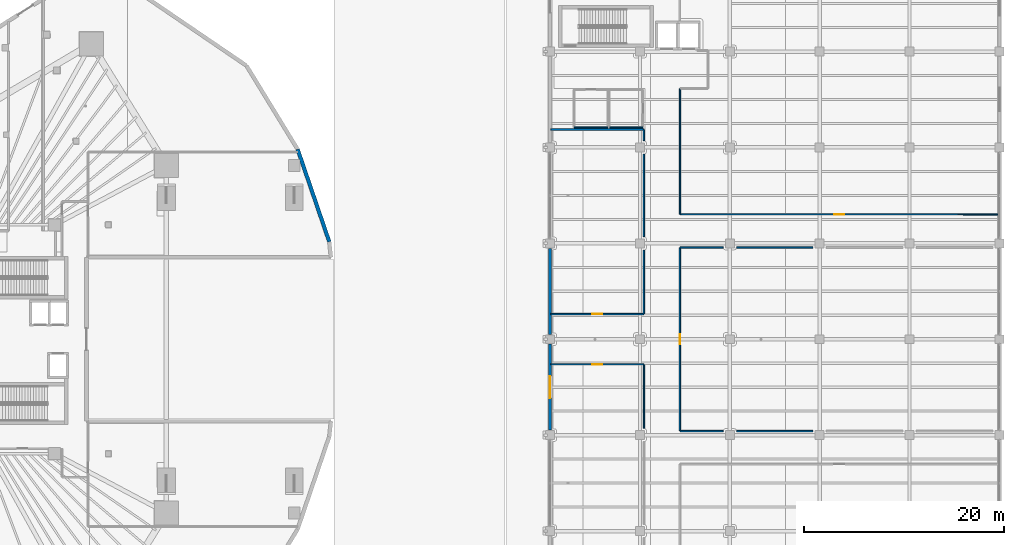
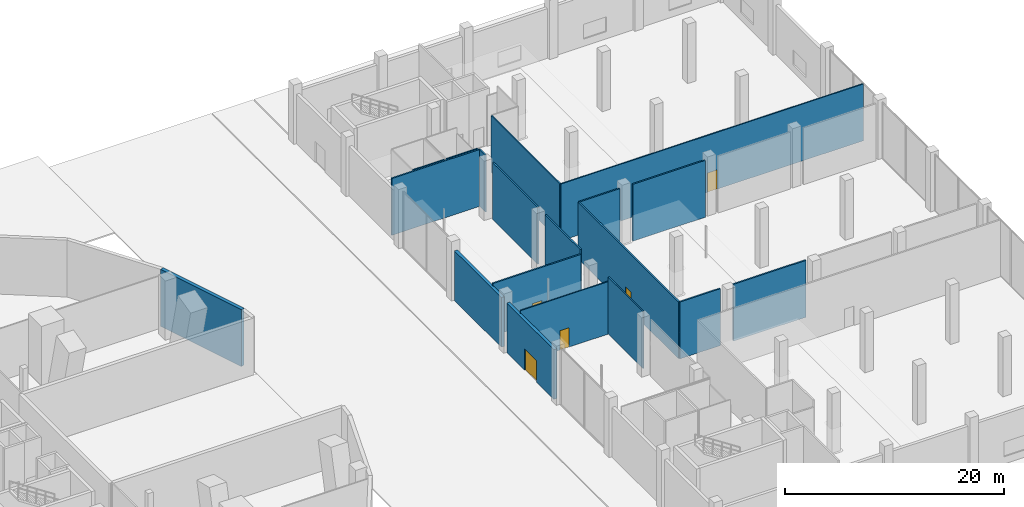
# One storey, part 31 of 45: 19 walls, 5 doors, 5 openings.
"""IFC4 building model written with IfcOpenShell, lengths in metres."""

from ifc_helpers import new_model, si_unit, direction, frame, frame_2d, origin, place, context, subcontext, project, spatial, rectangle, extrude, material, layer, layer_set, type_object, element, fill, save


model = new_model("IFC4")

# Units and contexts
model_context = context("Model", 3, precision=1e-05, world=origin(), true_north=direction((0.0, 1.0)))
body_context = subcontext(model_context, "Body", "Model", "MODEL_VIEW")
ifc_project = project(units=[si_unit("LENGTHUNIT", "METRE"), si_unit("AREAUNIT", "SQUARE_METRE"), si_unit("VOLUMEUNIT", "CUBIC_METRE"), si_unit("PLANEANGLEUNIT", "RADIAN"), si_unit("MASSUNIT", "GRAM", prefix="KILO")], contexts=[model_context])

# Site, building, storey
site_placement = place(None, origin())
site = spatial("IfcSite", under=ifc_project, at=site_placement, CompositionType="ELEMENT")
building_placement = place(site_placement, origin())
building = spatial("IfcBuilding", under=site, at=building_placement, Name="Qorvath Tower", CompositionType="ELEMENT")
storey_placement = place(building_placement, origin())
storey = spatial("IfcBuildingStorey", under=building, at=storey_placement, Name="L00", CompositionType="ELEMENT", Elevation=0.0)

# Wall, opening, door
ifc_material_1 = material(Name="Double acoustic gypsum board on steel studs", Category="steel")
ifc_layer_1 = layer(ifc_material_1, 0.159912109375)
ifc_layer_set_1 = layer_set([ifc_layer_1], Name="IW-ACOUSTIC-160")
wall_type_1 = type_object("IfcWallType", Name="IW-ACOUSTIC-160", PredefinedType="PARTITIONING", material=ifc_layer_set_1)
wall_1_placement = place(storey_placement, frame((32.47998046875, 2.508056640625, 0.0), z_axis=(0.0, 0.0, 1.0), x_axis=(1.0, 0.0, 0.0)))
wall_1 = element("IfcWall", 1, at=wall_1_placement, inside=storey, type_object=wall_type_1, Name="Interior Partition IW-LB-L00-017", PredefinedType="PARTITIONING", context=body_context, shape_type="SweptSolid", body=[
    extrude(rectangle(XDim=9.294921875, YDim=0.159912109375, at=frame_2d((4.6474609375, 0.0))), origin(), (0.0, 0.0, 1.0), 5.85302734375),
])
opening_1_placement = place(wall_1_placement, frame((4.1474609375, 0.0, 0.0)))
opening_1 = element("IfcOpeningElement", 2, at=opening_1_placement, cuts=wall_1, Name="Opening D-LB-L00-05", PredefinedType="OPENING", context=body_context, shape_type="SweptSolid", body=[
    extrude(rectangle(XDim=1.0, YDim=2.14990234375, at=frame_2d((0.5, 1.074951171875))), frame((0.0, 0.08984375, 0.0), z_axis=(0.0, -1.0, 0.0), x_axis=(1.0, 0.0, 0.0)), (0.0, 0.0, 1.0), 0.179931640625),
])
ifc_material_2 = material(Name="Painted galvanised hollow metal", Category="steel")
door_type_1 = type_object("IfcDoorType", Name="FD-60", OperationType="NOTDEFINED", PredefinedType="DOOR", material=ifc_material_2)
door_1_placement = place(opening_1_placement, origin())
door_1 = element("IfcDoor", 3, at=door_1_placement, inside=storey, type_object=door_type_1, Name="L-L00-FOY Civic Lending Desk and Reading Lounge Door D-LB-L00-05", OperationType="SINGLE_SWING_LEFT", OverallHeight=2.14990234375, OverallWidth=1.0, PredefinedType="DOOR", context=body_context, shape_type="SweptSolid", body=[
    extrude(rectangle(XDim=1.0, YDim=2.14990234375, at=frame_2d((0.5, 1.074951171875))), frame((0.0, 0.02490234375, 0.0), z_axis=(0.0, -1.0, 0.0), x_axis=(1.0, 0.0, 0.0)), (0.0, 0.0, 1.0), 0.050048828125),
])
fill(opening_1, door_1)

# Walls
wall_2_placement = place(storey_placement, frame((41.800048828125, 2.533203125, 0.0), z_axis=(0.0, 0.0, 1.0), x_axis=(0.0, 1.0, 0.0)))
element("IfcWall", 4, at=wall_2_placement, inside=storey, type_object=wall_type_1, Name="Interior Partition IW-LB-L00-018", PredefinedType="PARTITIONING", context=body_context, shape_type="SweptSolid", body=[
    extrude(rectangle(XDim=6.391845703125, YDim=0.159912109375, at=frame_2d((3.19580078125, 0.0))), origin(), (0.0, 0.0, 1.0), 6.340087890625),
])
wall_3_placement = place(storey_placement, frame((41.800048828125, 10.27490234375, 0.0), z_axis=(0.0, 0.0, 1.0), x_axis=(0.0, 1.0, 0.0)))
element("IfcWall", 5, at=wall_3_placement, inside=storey, type_object=wall_type_1, Name="Interior Partition IW-LB-L00-019", PredefinedType="PARTITIONING", context=body_context, shape_type="SweptSolid", body=[
    extrude(rectangle(XDim=8.25, YDim=0.159912109375, at=frame_2d((4.125, 0.0))), origin(), (0.0, 0.0, 1.0), 6.340087890625),
])
wall_4_placement = place(storey_placement, frame((41.800048828125, 19.875, 0.0), z_axis=(0.0, 0.0, 1.0), x_axis=(0.0, 1.0, 0.0)))
element("IfcWall", 6, at=wall_4_placement, inside=storey, type_object=wall_type_1, Name="Interior Partition IW-LB-L00-020", PredefinedType="PARTITIONING", context=body_context, shape_type="SweptSolid", body=[
    extrude(rectangle(XDim=1.10009765625, YDim=0.159912109375, at=frame_2d((0.550048828125, 0.0))), origin(), (0.0, 0.0, 1.0), 6.340087890625),
])
wall_5_placement = place(storey_placement, frame((41.77490234375, 21.0, 0.0), z_axis=(0.0, 0.0, 1.0), x_axis=(-1.0, 0.0, 0.0)))
element("IfcWall", 7, at=wall_5_placement, inside=storey, type_object=wall_type_1, Name="Interior Partition IW-LB-L00-021", PredefinedType="PARTITIONING", context=body_context, shape_type="SweptSolid", body=[
    extrude(rectangle(XDim=9.294921875, YDim=0.159912109375, at=frame_2d((4.6474609375, 0.0))), origin(), (0.0, 0.0, 1.0), 6.340087890625),
])
wall_6_placement = place(storey_placement, frame((58.72509765625, 9.19189453125, 0.0), z_axis=(0.0, 0.0, 1.0), x_axis=(-1.0, 0.0, 0.0)))
element("IfcWall", 8, at=wall_6_placement, inside=storey, type_object=wall_type_1, Name="Interior Partition IW-LB-L00-037", PredefinedType="PARTITIONING", context=body_context, shape_type="SweptSolid", body=[
    extrude(rectangle(XDim=7.650146484375, YDim=0.159912109375, at=frame_2d((3.8251953125, 0.0))), origin(), (0.0, 0.0, 1.0), 6.340087890625),
])
wall_7_placement = place(storey_placement, frame((49.72509765625, 9.19189453125, 0.0), z_axis=(0.0, 0.0, 1.0), x_axis=(-1.0, 0.0, 0.0)))
element("IfcWall", 9, at=wall_7_placement, inside=storey, type_object=wall_type_1, Name="Interior Partition IW-LB-L00-038", PredefinedType="PARTITIONING", context=body_context, shape_type="SweptSolid", body=[
    extrude(rectangle(XDim=4.2919921875, YDim=0.159912109375, at=frame_2d((2.14599609375, 0.0))), origin(), (0.0, 0.0, 1.0), 6.340087890625),
])

# Wall, opening, door
wall_8_placement = place(storey_placement, frame((45.407958984375, 9.1669921875, 0.0), z_axis=(0.0, 0.0, 1.0), x_axis=(0.0, -1.0, 0.0)))
wall_8 = element("IfcWall", 10, at=wall_8_placement, inside=storey, type_object=wall_type_1, Name="Interior Partition IW-LB-L00-039", PredefinedType="PARTITIONING", context=body_context, shape_type="SweptSolid", body=[
    extrude(rectangle(XDim=18.333984375, YDim=0.159912109375, at=frame_2d((9.1669921875, 0.0))), origin(), (0.0, 0.0, 1.0), 6.340087890625),
])
opening_2_placement = place(wall_8_placement, frame((8.6669921875, 0.0, 0.0)))
opening_2 = element("IfcOpeningElement", 11, at=opening_2_placement, cuts=wall_8, Name="Opening D-LB-L00-08", PredefinedType="OPENING", context=body_context, shape_type="SweptSolid", body=[
    extrude(rectangle(XDim=1.0, YDim=2.14990234375, at=frame_2d((0.5, 1.074951171875))), frame((0.0, 0.08984375, 0.0), z_axis=(0.0, -1.0, 0.0), x_axis=(1.0, 0.0, 0.0)), (0.0, 0.0, 1.0), 0.179931640625),
])
door_2_placement = place(opening_2_placement, origin())
door_2 = element("IfcDoor", 12, at=door_2_placement, inside=storey, type_object=door_type_1, Name="L-L00-PER Periodicals Reading Lounge Door D-LB-L00-08", OperationType="SINGLE_SWING_RIGHT", OverallHeight=2.14990234375, OverallWidth=1.0, PredefinedType="DOOR", context=body_context, shape_type="SweptSolid", body=[
    extrude(rectangle(XDim=1.0, YDim=2.14990234375, at=frame_2d((0.5, 1.074951171875))), frame((0.0, 0.02490234375, 0.0), z_axis=(0.0, -1.0, 0.0), x_axis=(1.0, 0.0, 0.0)), (0.0, 0.0, 1.0), 0.050048828125),
])
fill(opening_2, door_2)

# Walls
wall_9_placement = place(storey_placement, frame((45.43310546875, -9.19189453125, 0.0), z_axis=(0.0, 0.0, 1.0), x_axis=(1.0, 0.0, 0.0)))
element("IfcWall", 13, at=wall_9_placement, inside=storey, type_object=wall_type_1, Name="Interior Partition IW-LB-L00-040", PredefinedType="PARTITIONING", context=body_context, shape_type="SweptSolid", body=[
    extrude(rectangle(XDim=4.2919921875, YDim=0.159912109375, at=frame_2d((2.14599609375, 0.0))), origin(), (0.0, 0.0, 1.0), 6.340087890625),
])
wall_10_placement = place(storey_placement, frame((51.074951171875, -9.19189453125, 0.0), z_axis=(0.0, 0.0, 1.0), x_axis=(1.0, 0.0, 0.0)))
element("IfcWall", 14, at=wall_10_placement, inside=storey, type_object=wall_type_1, Name="Interior Partition IW-LB-L00-041", PredefinedType="PARTITIONING", context=body_context, shape_type="SweptSolid", body=[
    extrude(rectangle(XDim=7.650146484375, YDim=0.159912109375, at=frame_2d((3.8251953125, 0.0))), origin(), (0.0, 0.0, 1.0), 6.340087890625),
])
ifc_material_3 = material(Name="Gypsum board on metal studs with mineral wool", Category="gypsum")
ifc_layer_2 = layer(ifc_material_3, 0.125)
ifc_layer_set_2 = layer_set([ifc_layer_2], Name="IW-PART-125")
wall_type_2 = type_object("IfcWallType", Name="IW-PART-125", PredefinedType="PARTITIONING", material=ifc_layer_set_2)
wall_11_placement = place(storey_placement, frame((45.407958984375, 25.087158203125, 0.0), z_axis=(0.0, 0.0, 1.0), x_axis=(0.0, -1.0, 0.0)))
element("IfcWall", 15, at=wall_11_placement, inside=storey, type_object=wall_type_2, Name="Interior Partition IW-LB-L00-025", PredefinedType="PARTITIONING", context=body_context, shape_type="SweptSolid", body=[
    extrude(rectangle(XDim=12.553955078125, YDim=0.125, at=frame_2d((6.27685546875, 0.0))), origin(), (0.0, 0.0, 1.0), 6.340087890625),
])

# Wall, opening, door
wall_12_placement = place(storey_placement, frame((45.43310546875, 12.508056640625, 0.0), z_axis=(0.0, 0.0, 1.0), x_axis=(0.999999968081, -0.000252662519, 0.0)))
wall_12 = element("IfcWall", 16, at=wall_12_placement, inside=storey, type_object=wall_type_2, Name="Interior Partition IW-LB-L00-026", PredefinedType="PARTITIONING", context=body_context, shape_type="SweptSolid", body=[
    extrude(rectangle(XDim=31.886962890625, YDim=0.125, at=frame_2d((15.943359375, 0.0))), origin(), (0.0, 0.0, 1.0), 6.340087890625),
])
opening_3_placement = place(wall_12_placement, frame((15.443603515625, 0.0, 0.0)))
opening_3 = element("IfcOpeningElement", 17, at=opening_3_placement, cuts=wall_12, Name="Opening D-LB-L00-06", PredefinedType="OPENING", context=body_context, shape_type="SweptSolid", body=[
    extrude(rectangle(XDim=1.0, YDim=2.14990234375, at=frame_2d((0.5, 1.074951171875))), frame((0.0, 0.072509765625, 0.0), z_axis=(0.0, -1.0, 0.0), x_axis=(1.0, 0.0, 0.0)), (0.0, 0.0, 1.0), 0.14501953125),
])
door_3_placement = place(opening_3_placement, origin())
door_3 = element("IfcDoor", 18, at=door_3_placement, inside=storey, type_object=door_type_1, Name="L-L00-CHD Children and Youth Discovery Library Door D-LB-L00-06", OperationType="SINGLE_SWING_RIGHT", OverallHeight=2.14990234375, OverallWidth=1.0, PredefinedType="DOOR", context=body_context, shape_type="SweptSolid", body=[
    extrude(rectangle(XDim=1.0, YDim=2.14990234375, at=frame_2d((0.5, 1.074951171875))), frame((0.0, 0.02490234375, 0.0), z_axis=(0.0, -1.0, 0.0), x_axis=(1.0, 0.0, 0.0)), (0.0, 0.0, 1.0), 0.050048828125),
])
fill(opening_3, door_3)

# Wall
wall_13_placement = place(storey_placement, frame((41.800048828125, -8.925048828125, 0.0), z_axis=(0.0, 0.0, 1.0), x_axis=(0.0, 1.0, 0.0)))
element("IfcWall", 19, at=wall_13_placement, inside=storey, type_object=wall_type_2, Name="Interior Partition IW-LB-L00-046", PredefinedType="PARTITIONING", context=body_context, shape_type="SweptSolid", body=[
    extrude(rectangle(XDim=6.391845703125, YDim=0.125, at=frame_2d((3.19580078125, 0.0))), origin(), (0.0, 0.0, 1.0), 6.340087890625),
])

# Wall, opening, door
wall_14_placement = place(storey_placement, frame((41.77490234375, -2.508056640625, 0.0), z_axis=(0.0, 0.0, 1.0), x_axis=(-1.0, 0.0, 0.0)))
wall_14 = element("IfcWall", 20, at=wall_14_placement, inside=storey, type_object=wall_type_2, Name="Interior Partition IW-LB-L00-047", PredefinedType="PARTITIONING", context=body_context, shape_type="SweptSolid", body=[
    extrude(rectangle(XDim=9.294921875, YDim=0.125, at=frame_2d((4.6474609375, 0.0))), origin(), (0.0, 0.0, 1.0), 5.85302734375),
])
opening_4_placement = place(wall_14_placement, frame((4.1474609375, 0.0, 0.0)))
opening_4 = element("IfcOpeningElement", 21, at=opening_4_placement, cuts=wall_14, Name="Opening D-LB-L00-09", PredefinedType="OPENING", context=body_context, shape_type="SweptSolid", body=[
    extrude(rectangle(XDim=1.0, YDim=2.14990234375, at=frame_2d((0.5, 1.074951171875))), frame((0.0, 0.072509765625, 0.0), z_axis=(0.0, -1.0, 0.0), x_axis=(1.0, 0.0, 0.0)), (0.0, 0.0, 1.0), 0.14501953125),
])
door_4_placement = place(opening_4_placement, origin())
door_4 = element("IfcDoor", 22, at=door_4_placement, inside=storey, type_object=door_type_1, Name="L-L00-SRT Automated Book Sorting Workroom Door D-LB-L00-09", OperationType="SINGLE_SWING_LEFT", OverallHeight=2.14990234375, OverallWidth=1.0, PredefinedType="DOOR", context=body_context, shape_type="SweptSolid", body=[
    extrude(rectangle(XDim=1.0, YDim=2.14990234375, at=frame_2d((0.5, 1.074951171875))), frame((0.0, 0.02490234375, 0.0), z_axis=(0.0, -1.0, 0.0), x_axis=(1.0, 0.0, 0.0)), (0.0, 0.0, 1.0), 0.050048828125),
])
fill(opening_4, door_4)

# Walls
ifc_material_4 = material(Name="Moisture-resistant cement board on metal studs", Category="gypsum")
ifc_layer_3 = layer(ifc_material_4, 0.110107421875)
ifc_layer_set_3 = layer_set([ifc_layer_3], Name="IW-WC-110")
wall_type_3 = type_object("IfcWallType", Name="IW-WC-110", PredefinedType="PARTITIONING", material=ifc_layer_set_3)
wall_15_placement = place(storey_placement, frame((34.824951171875, 21.199951171875, 0.0), z_axis=(0.0, 0.0, 1.0), x_axis=(1.0, 0.0, 0.0)))
element("IfcWall", 23, at=wall_15_placement, inside=storey, type_object=wall_type_3, Name="Interior Partition IW-LB-L00-001", PredefinedType="PARTITIONING", context=body_context, shape_type="SweptSolid", body=[
    extrude(rectangle(XDim=3.35009765625, YDim=0.110107421875, at=frame_2d((1.675048828125, 0.0))), origin(), (0.0, 0.0, 1.0), 6.340087890625),
])
wall_16_placement = place(storey_placement, frame((38.375, 21.199951171875, 0.0), z_axis=(0.0, 0.0, 1.0), x_axis=(1.0, 0.0, 0.0)))
element("IfcWall", 24, at=wall_16_placement, inside=storey, type_object=wall_type_3, Name="Interior Partition IW-LB-L00-005", PredefinedType="PARTITIONING", context=body_context, shape_type="SweptSolid", body=[
    extrude(rectangle(XDim=3.300048828125, YDim=0.110107421875, at=frame_2d((1.64990234375, 0.0))), origin(), (0.0, 0.0, 1.0), 6.340087890625),
])

# Wall, opening, door
ifc_material_5 = material(Name="Precast concrete C45/55", Category="concrete")
ifc_layer_4 = layer(ifc_material_5, 0.320068359375)
ifc_layer_set_4 = layer_set([ifc_layer_4], Name="WL-EW-LIB-320")
wall_type_4 = type_object("IfcWallType", Name="WL-EW-LIB-320", PredefinedType="SOLIDWALL", material=ifc_layer_set_4)
wall_17_placement = place(storey_placement, frame((32.39990234375, -9.10498046875, 0.0), z_axis=(0.0, 0.0, 1.0), x_axis=(0.0, 1.0, 0.0)))
wall_17 = element("IfcWall", 25, at=wall_17_placement, inside=storey, type_object=wall_type_4, Name="Library West Precast Facade Wall L00-4", PredefinedType="SOLIDWALL", context=body_context, shape_type="SweptSolid", body=[
    extrude(rectangle(XDim=8.60986328125, YDim=0.320068359375, at=frame_2d((4.304931640625, 0.0))), origin(), (0.0, 0.0, 1.0), 5.537109375),
])
opening_5_placement = place(wall_17_placement, frame((3.204833984375, 0.0, 0.0)))
opening_5 = element("IfcOpeningElement", 26, at=opening_5_placement, cuts=wall_17, Name="Opening ED-LIB-01", PredefinedType="OPENING", context=body_context, shape_type="SweptSolid", body=[
    extrude(rectangle(XDim=2.199951171875, YDim=2.39990234375, at=frame_2d((1.10009765625, 1.199951171875))), frame((0.0, 0.169921875, 0.0), z_axis=(0.0, -1.0, 0.0), x_axis=(1.0, 0.0, 0.0)), (0.0, 0.0, 1.0), 0.340087890625),
])
ifc_material_6 = material(Name="Anodised aluminium and low-E glass", Category="aluminium")
door_type_2 = type_object("IfcDoorType", Name="ED-02", OperationType="NOTDEFINED", PredefinedType="DOOR", material=ifc_material_6)
door_5_placement = place(opening_5_placement, origin())
door_5 = element("IfcDoor", 27, at=door_5_placement, inside=storey, type_object=door_type_2, Name="Central Library Main Plaza Outward Entrance Door", OperationType="SINGLE_SWING_LEFT", OverallHeight=2.39990234375, OverallWidth=2.199951171875, PredefinedType="DOOR", context=body_context, shape_type="SweptSolid", body=[
    extrude(rectangle(XDim=2.199951171875, YDim=2.39990234375, at=frame_2d((1.10009765625, 1.199951171875))), frame((0.0, 0.02490234375, 0.0), z_axis=(0.0, -1.0, 0.0), x_axis=(1.0, 0.0, 0.0)), (0.0, 0.0, 1.0), 0.050048828125),
])
fill(opening_5, door_5)

# Walls
wall_18_placement = place(storey_placement, frame((32.39990234375, 0.4951171875, 0.0), z_axis=(0.0, 0.0, 1.0), x_axis=(0.0, 1.0, 0.0)))
element("IfcWall", 28, at=wall_18_placement, inside=storey, type_object=wall_type_4, Name="Library West Precast Facade Wall L00-5", PredefinedType="SOLIDWALL", context=body_context, shape_type="SweptSolid", body=[
    extrude(rectangle(XDim=8.60986328125, YDim=0.320068359375, at=frame_2d((4.304931640625, 0.0))), origin(), (0.0, 0.0, 1.0), 5.537109375),
])
ifc_material_7 = material(Name="Precast concrete C50/60", Category="concrete")
ifc_layer_5 = layer(ifc_material_7, 0.3798828125)
ifc_layer_set_5 = layer_set([ifc_layer_5], Name="WL-EW-POD-380")
wall_type_5 = type_object("IfcWallType", Name="WL-EW-POD-380", PredefinedType="SOLIDWALL", material=ifc_layer_set_5)
wall_19_placement = place(storey_placement, frame((7.139404296875, 19.029052734375, 0.0), z_axis=(0.0, 0.0, 1.0), x_axis=(0.323529337119, -0.946218139767, 0.0)))
element("IfcWall", 29, at=wall_19_placement, inside=storey, type_object=wall_type_5, Name="Tower Podium Precast Facade Wall L00-5.1", PredefinedType="SOLIDWALL", context=body_context, shape_type="SweptSolid", body=[
    extrude(rectangle(XDim=9.807861328125, YDim=0.3798828125, at=frame_2d((4.90380859375, 0.0))), origin(), (0.0, 0.0, 1.0), 6.340087890625),
])

save(model, "model.ifc")
